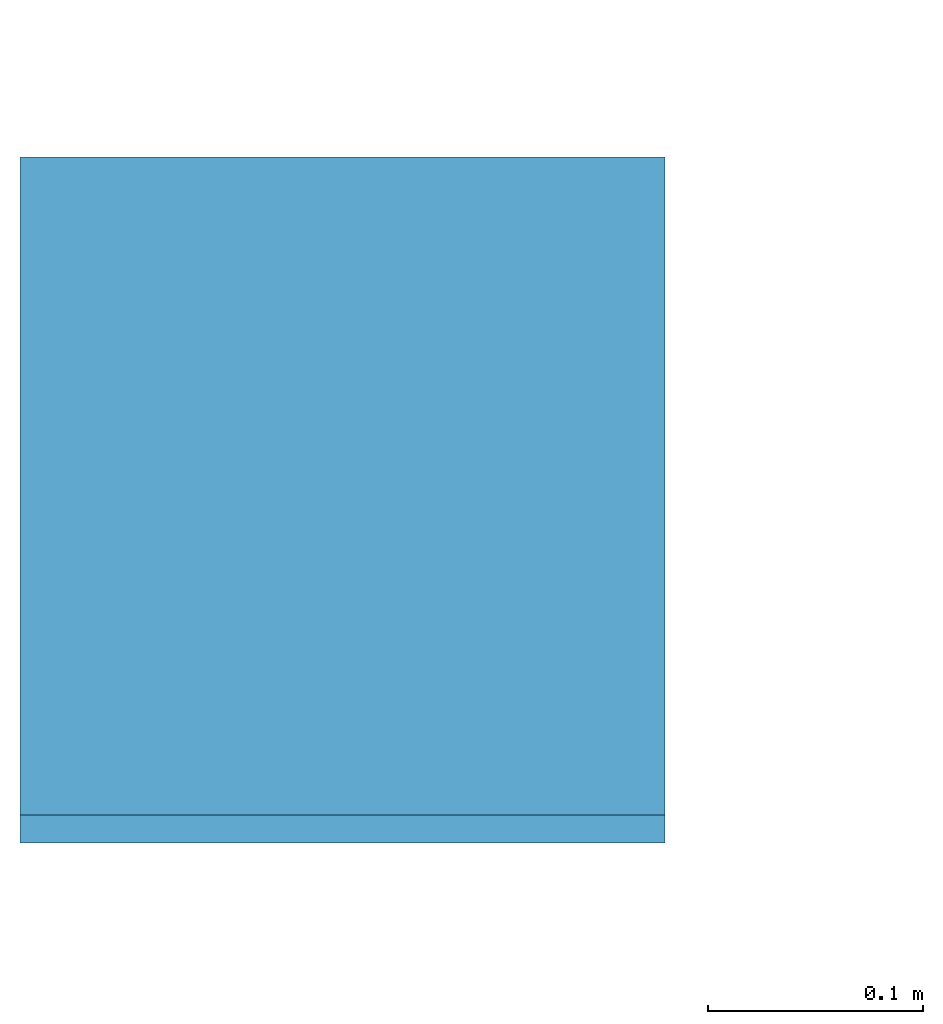
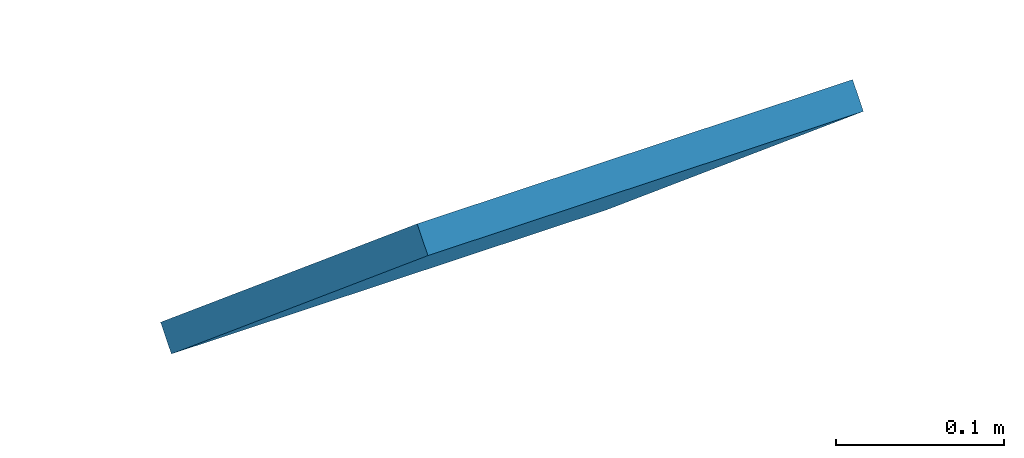
# One storey, part 11 of 13: 1 discrete accessory.
"""IFC4 building model written with IfcOpenShell, lengths in metres."""

from ifc_helpers import new_model, si_unit, direction, frame, origin, place, context, subcontext, project, spatial, polyline, outline, extrude, material, element, save


model = new_model("IFC4")

# Units and contexts
model_context = context("Model", 3, precision=1e-05, world=origin(), true_north=direction((0.0, 1.0)))
body_context = subcontext(model_context, "Body", "Model", "MODEL_VIEW")
ifc_project = project(units=[si_unit("LENGTHUNIT", "METRE"), si_unit("AREAUNIT", "SQUARE_METRE"), si_unit("VOLUMEUNIT", "CUBIC_METRE"), si_unit("PLANEANGLEUNIT", "RADIAN"), si_unit("MASSUNIT", "GRAM", prefix="KILO")], contexts=[model_context])

# Site, building, storey
site_placement = place(None, origin())
site = spatial("IfcSite", under=ifc_project, at=site_placement, CompositionType="ELEMENT")
building_placement = place(site_placement, origin())
building = spatial("IfcBuilding", under=site, at=building_placement, Name="Silangan Lancet Faculty of Sciences", CompositionType="ELEMENT")
storey_placement = place(building_placement, frame((0.0, 0.0, 49.800048828125)))
storey = spatial("IfcBuildingStorey", under=building, at=storey_placement, Name="L10", CompositionType="ELEMENT", Elevation=49.800048828125)

# Discrete accessory
ifc_material = material(Name="Steel STK400", Category="steel")
discrete_accessory_placement = place(storey_placement, frame((-0.733642578125, 51.947021484375, 12.978759765625), z_axis=(0.0, 0.643421121985, 0.765512416479), x_axis=(1.0, 0.0, 0.0)))
element("IfcDiscreteAccessory", 1, at=discrete_accessory_placement, inside=storey, material=ifc_material, Name="Gable truss strut head plate B", ObjectType="CONNECTION PLATE", PredefinedType="USERDEFINED", context=body_context, shape_type="SweptSolid", body=[
    extrude(outline(polyline([(0.0, 0.0), (0.300048828125, 0.0), (0.300048828125, 0.3999312580168197), (0.0, 0.3999312580168197), (0.0, 0.0)])), origin(), (0.0, 0.0, -1.0), 0.02001953125),
])

save(model, "model.ifc")
